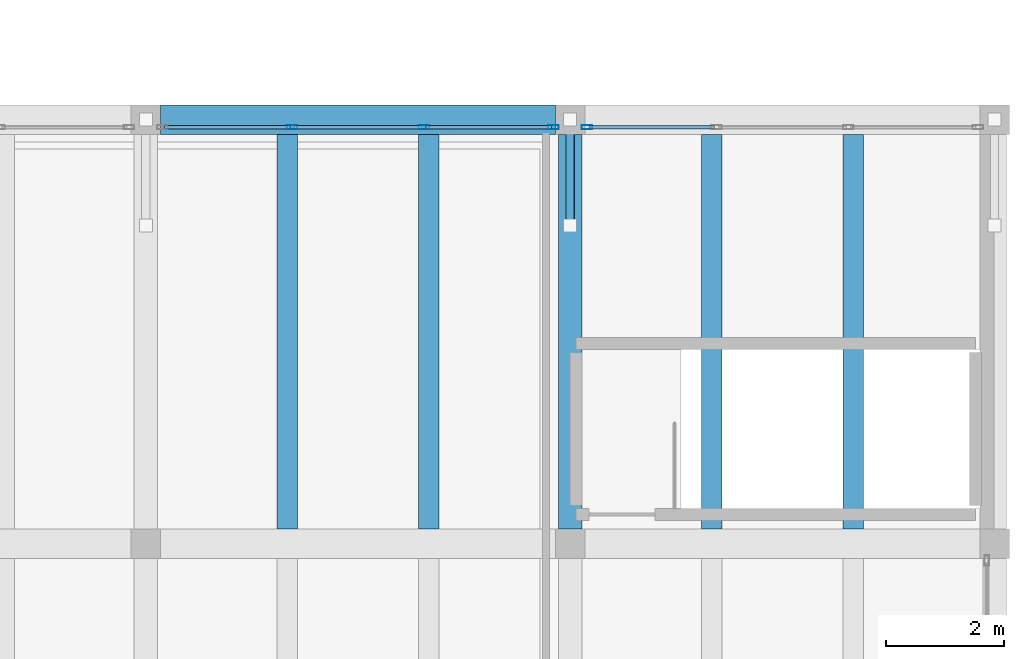
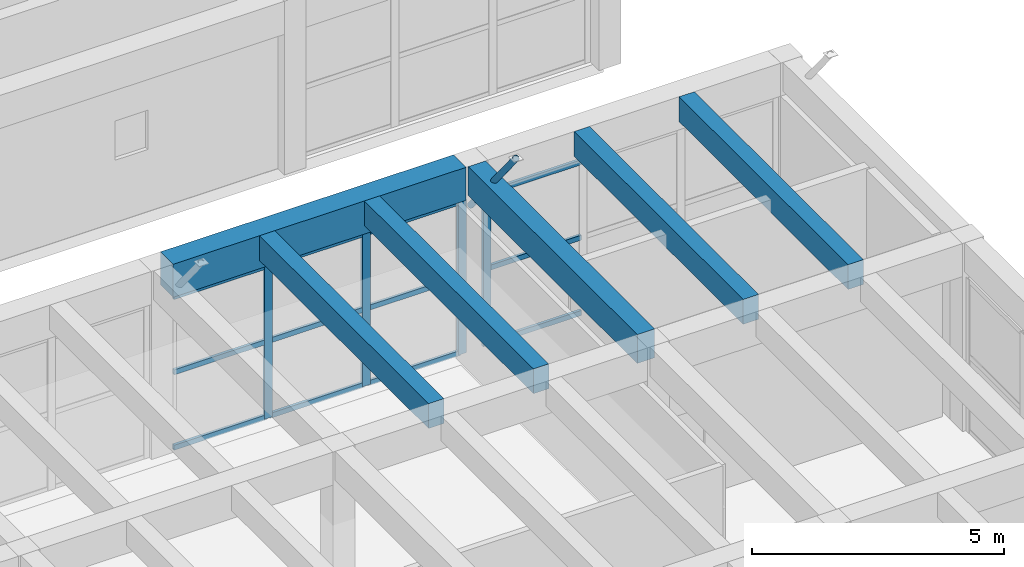
# One storey, part 98 of 153: 17 members, 6 beams, 2 elements without a shape of their own.
"""IFC4 building model written with IfcOpenShell, lengths in metres."""

import ifcopenshell
import ifcopenshell.guid

model = None  # the IFC model being written
_history = None  # IfcOwnerHistory: only IFC2X3 demands one
_inside = {}  # id of a spatial element -> (the spatial element, [elements in it])
_under = {}  # id of a project, library or spatial element -> (it, [spatial elements below it])
_declared = {}  # id of a project -> (the project, [libraries it declares])
_typed = {}  # id of a type object -> (the type object, [elements of that type])
_made_of = {}  # id of a material, layer set ... -> (it, [elements and type objects made of it])


def new_model(schema):
    """Start an empty IFC model of exactly this schema.

    Asked for "IFC4X3", IfcOpenShell would pick the latest addendum, in which some entities
    have other attributes; the version numbers below select the first issue.
    IFC2X3 requires an IfcOwnerHistory on every rooted entity: one is made here for all.
    """
    global model, _history
    if schema == "IFC4X3":
        model = ifcopenshell.file(schema_version=(4, 3, 0, 0))
    else:
        model = ifcopenshell.file(schema=schema)
    _inside.clear()
    _under.clear()
    _declared.clear()
    _typed.clear()
    _made_of.clear()
    _history = None
    if model.schema == "IFC2X3":
        org = make("IfcOrganization", Name="unknown")
        user = make(
            "IfcPersonAndOrganization",
            ThePerson=make("IfcPerson", FamilyName="unknown"),
            TheOrganization=org,
        )
        app = make(
            "IfcApplication",
            ApplicationDeveloper=org,
            Version="unknown",
            ApplicationFullName="unknown",
            ApplicationIdentifier="unknown",
        )
        _history = make(
            "IfcOwnerHistory",
            OwningUser=user,
            OwningApplication=app,
            ChangeAction="ADDED",
            CreationDate=0,
        )
    return model


def make(cls, **values):
    """One entity of the class cls with the attributes given. An attribute that is None is left unset."""
    return model.create_entity(
        cls, **{name: value for name, value in values.items() if value is not None}
    )


def rooted(cls, **values):
    """An entity with a GlobalId (a new one), such as an element, a storey or a relation."""
    return make(cls, GlobalId=ifcopenshell.guid.new(), OwnerHistory=_history, **values)


def si_unit(unit_type, name, prefix=None):
    """IfcSIUnit, for example si_unit("LENGTHUNIT", "METRE", prefix="MILLI")."""
    return make("IfcSIUnit", UnitType=unit_type, Prefix=prefix, Name=name)


def assignment(units):
    """IfcUnitAssignment: the units of a project."""
    return None if units is None else make("IfcUnitAssignment", Units=units)


def point(xyz):
    """IfcCartesianPoint."""
    return None if xyz is None else make("IfcCartesianPoint", Coordinates=xyz)


def direction(xyz):
    """IfcDirection."""
    return None if xyz is None else make("IfcDirection", DirectionRatios=xyz)


def frame(location, z_axis=None, x_axis=None):
    """IfcAxis2Placement3D, a coordinate frame: its origin and axes. An axis left out is left unset."""
    return make(
        "IfcAxis2Placement3D",
        Location=point(location),
        Axis=direction(z_axis),
        RefDirection=direction(x_axis),
    )


def frame_2d(location, x_axis=None):
    """IfcAxis2Placement2D, a coordinate frame in the plane: its origin and x axis."""
    return make(
        "IfcAxis2Placement2D", Location=point(location), RefDirection=direction(x_axis)
    )


def origin():
    """The frame at (0, 0, 0) with its axes left unset."""
    return frame((0.0, 0.0, 0.0))


def origin_2d():
    """The frame at (0, 0) in the plane with its x axis left unset."""
    return frame_2d((0.0, 0.0))


def place(relative_to, where):
    """IfcLocalPlacement: puts the frame where relative to a parent placement (None: the world)."""
    return make(
        "IfcLocalPlacement", PlacementRelTo=relative_to, RelativePlacement=where
    )


def context(
    kind, dimensions, precision=None, world=None, true_north=None, identifier=None
):
    """IfcGeometricRepresentationContext, for example the 3D "Model" context."""
    return make(
        "IfcGeometricRepresentationContext",
        ContextIdentifier=identifier,
        ContextType=kind,
        CoordinateSpaceDimension=dimensions,
        Precision=precision,
        WorldCoordinateSystem=world,
        TrueNorth=true_north,
    )


def subcontext(parent, identifier, kind, view, scale=None):
    """IfcGeometricRepresentationSubContext, for example "Body" below "Model"."""
    return make(
        "IfcGeometricRepresentationSubContext",
        ContextIdentifier=identifier,
        ContextType=kind,
        ParentContext=parent,
        TargetScale=scale,
        TargetView=view,
    )


def project(units=None, contexts=None):
    """IfcProject with its units and contexts."""
    return rooted(
        "IfcProject",
        Name="project",
        RepresentationContexts=contexts,
        UnitsInContext=assignment(units),
    )


def spatial(cls, under=None, at=None, **own):
    """A site, building, storey or space (cls), placed at a placement, below another one or the project."""
    s = rooted(cls, ObjectPlacement=at, **own)
    if under is not None:
        _under.setdefault(under.id(), (under, []))[1].append(s)
    return s


def profile(cls, at=None, kind="AREA", **sizes):
    """A parametric profile (cls). Its sizes go by their IFC names, for example OverallWidth=200.0."""
    return make(cls, ProfileType=kind, Position=at, **sizes)


def rectangle(**sizes):
    """IfcRectangleProfileDef."""
    return profile("IfcRectangleProfileDef", **sizes)


def hollow_rectangle(**sizes):
    """IfcRectangleHollowProfileDef."""
    return profile("IfcRectangleHollowProfileDef", **sizes)


def hollow_circle(**sizes):
    """IfcCircleHollowProfileDef."""
    return profile("IfcCircleHollowProfileDef", **sizes)


def extrude(swept, where, along, depth):
    """IfcExtrudedAreaSolid: the profile swept, set in the frame where, extruded along a direction by depth."""
    return make(
        "IfcExtrudedAreaSolid",
        SweptArea=swept,
        Position=where,
        ExtrudedDirection=direction(along),
        Depth=depth,
    )


def shape(context_of_items, identifier, shape_type, items):
    """IfcShapeRepresentation: the items that make up one representation, for example the "Body"."""
    return make(
        "IfcShapeRepresentation",
        ContextOfItems=context_of_items,
        RepresentationIdentifier=identifier,
        RepresentationType=shape_type,
        Items=items,
    )


def material(Name=None, Category=None):
    """IfcMaterial."""
    return make("IfcMaterial", Name=Name, Category=Category)


def material_profile(
    of_material, cross_section, Name=None, Category=None, Priority=None
):
    """IfcMaterialProfile: a cross section and its material."""
    return make(
        "IfcMaterialProfile",
        Name=Name,
        Material=of_material,
        Profile=cross_section,
        Priority=Priority,
        Category=Category,
    )


def profile_set(profiles, Name=None, composite=None):
    """IfcMaterialProfileSet."""
    return make(
        "IfcMaterialProfileSet",
        Name=Name,
        MaterialProfiles=profiles,
        CompositeProfile=composite,
    )


def made_of(thing, what):
    """Note that an element or type object is made of a material, layer set ...; save() writes the relation."""
    if what is not None:
        _made_of.setdefault(what.id(), (what, []))[1].append(thing)
    return thing


def type_object(cls, material=None, **own):
    """A type object (cls), such as IfcWallType, which elements share."""
    return made_of(rooted(cls, **own), material)


def element(
    cls,
    number,
    at=None,
    inside=None,
    cuts=None,
    type_object=None,
    material=None,
    context=None,
    identifier="Body",
    shape_type=None,
    held_by="IfcProductDefinitionShape",
    body=None,
    shapes=None,
    **own,
):
    """One element of the class cls, such as IfcWall. Its Tag is "e" and its number.

    at: its placement. inside: the storey or other place that contains it. cuts: it is an
    opening in that element (IfcRelVoidsElement). A single representation is given by context,
    identifier, shape_type and body (its items); several are given by shapes. held_by: the class
    of the entity that holds the representations. save() writes the other relations.
    """
    e = rooted(cls, Tag="e%d" % number, ObjectPlacement=at, **own)
    if body is not None:
        shapes = [shape(context, identifier, shape_type, body)]
    if shapes is not None:
        e.Representation = make(held_by, Representations=shapes)
    if inside is not None:
        _inside.setdefault(inside.id(), (inside, []))[1].append(e)
    if cuts is not None:
        rooted(
            "IfcRelVoidsElement", RelatingBuildingElement=cuts, RelatedOpeningElement=e
        )
    if type_object is not None:
        _typed.setdefault(type_object.id(), (type_object, []))[1].append(e)
    return made_of(e, material)


def aggregate(whole, parts):
    """IfcRelAggregates: a whole, such as a stair, and the parts it consists of."""
    return rooted("IfcRelAggregates", RelatingObject=whole, RelatedObjects=parts)


def save(model, path):
    """Write the relations noted so far, then the file.

    IfcRelAggregates (storeys below a building ...), IfcRelContainedInSpatialStructure (elements
    in a storey), IfcRelDefinesByType, IfcRelAssociatesMaterial and IfcRelDeclares: one each for
    every whole, place, type object, material and project.
    """
    for whole, parts in _under.values():
        aggregate(whole, parts)
    for where, things in _inside.values():
        rooted(
            "IfcRelContainedInSpatialStructure",
            RelatedElements=things,
            RelatingStructure=where,
        )
    for kind, things in _typed.values():
        rooted("IfcRelDefinesByType", RelatedObjects=things, RelatingType=kind)
    for what, things in _made_of.values():
        rooted("IfcRelAssociatesMaterial", RelatedObjects=things, RelatingMaterial=what)
    for by, libraries in _declared.values():
        rooted("IfcRelDeclares", RelatingContext=by, RelatedDefinitions=libraries)
    model.write(path)


model = new_model("IFC4")

# Units and contexts
model_context = context("Model", 3, precision=1e-05, world=origin(), true_north=direction((0.0, 1.0)))
body_context = subcontext(model_context, "Body", "Model", "MODEL_VIEW")
ifc_project = project(units=[si_unit("LENGTHUNIT", "METRE"), si_unit("AREAUNIT", "SQUARE_METRE"), si_unit("VOLUMEUNIT", "CUBIC_METRE"), si_unit("PLANEANGLEUNIT", "RADIAN"), si_unit("MASSUNIT", "GRAM", prefix="KILO")], contexts=[model_context])

# Site, building, storey
site_placement = place(None, origin())
site = spatial("IfcSite", under=ifc_project, at=site_placement, CompositionType="ELEMENT")
building_placement = place(site_placement, origin())
building = spatial("IfcBuilding", under=site, at=building_placement, Name="Bramvelor Terrace Health Centre", CompositionType="ELEMENT")
storey_placement = place(building_placement, frame((0.0, 0.0, 4.800048828125)))
storey = spatial("IfcBuildingStorey", under=building, at=storey_placement, Name="L02", CompositionType="ELEMENT", Elevation=4.800048828125)

# Beams
ifc_material_1 = material(Name="Concrete C40/50", Category="concrete")
ifc_material_profile_1 = material_profile(ifc_material_1, rectangle(XDim=0.39990234375, YDim=0.699951171875, at=origin_2d()), Name="RC 400x700")
ifc_profile_set_1 = profile_set([ifc_material_profile_1], Name="Concrete C40/50")
beam_type_1 = type_object("IfcBeamType", Name="BM-RC-G700", PredefinedType="BEAM", material=ifc_profile_set_1)
beam_1_placement = place(storey_placement, frame((86.39990234375, 72.25, 4.199951171875), z_axis=(0.0, 1.0, 0.0), x_axis=(-1.0, 0.0, 0.0)))
element("IfcBeam", 1, at=beam_1_placement, inside=storey, type_object=beam_type_1, Name="L02 Floor Girder", PredefinedType="BEAM", context=body_context, shape_type="SweptSolid", body=[
    extrude(rectangle(XDim=0.39990234375, YDim=0.699951171875, at=origin_2d()), origin(), (0.0, 0.0, 1.0), 6.699951171875),
])
ifc_material_2 = material(Name="Concrete C40/50", Category="concrete")
ifc_material_profile_2 = material_profile(ifc_material_2, rectangle(XDim=0.5, YDim=0.800048828125, at=origin_2d()), Name="RC 500x800")
ifc_profile_set_2 = profile_set([ifc_material_profile_2], Name="Concrete C40/50")
beam_type_2 = type_object("IfcBeamType", Name="BM-RC-G800", PredefinedType="BEAM", material=ifc_profile_set_2)
beam_2_placement = place(storey_placement, frame((79.449951171875, 79.199951171875, 4.14990234375), z_axis=(1.0, 0.0, 0.0), x_axis=(0.0, 1.0, 0.0)))
element("IfcBeam", 2, at=beam_2_placement, inside=storey, type_object=beam_type_2, Name="L02 Floor Girder", PredefinedType="BEAM", context=body_context, shape_type="SweptSolid", body=[
    extrude(rectangle(XDim=0.5, YDim=0.800048828125, at=origin_2d()), origin(), (0.0, 0.0, 1.0), 6.699951171875),
])
ifc_material_3 = material(Name="Concrete C40/50", Category="concrete")
ifc_material_profile_3 = material_profile(ifc_material_3, rectangle(XDim=0.35009765625, YDim=0.60009765625, at=origin_2d()), Name="RC 350x600")
ifc_profile_set_3 = profile_set([ifc_material_profile_3], Name="Concrete C40/50")
beam_type_3 = type_object("IfcBeamType", Name="BM-RC-J600", PredefinedType="JOIST", material=ifc_profile_set_3)
for number, where, z_axis, x_axis, name in (
    (3, (81.60009765625, 72.25, 4.25), (0.0, 1.0, 0.0), (-1.0, 0.0, 0.0), "L02 Secondary Floor Joist"),
    (4, (84.0, 72.25, 4.25), (0.0, 1.0, 0.0), (-1.0, 0.0, 0.0), "L02 Secondary Floor Joist"),
    (5, (88.800048828125, 72.25, 4.25), (0.0, 1.0, 0.0), (-1.0, 0.0, 0.0), "L02 Secondary Floor Joist"),
    (6, (91.199951171875, 72.25, 4.25), (0.0, 1.0, 0.0), (-1.0, 0.0, 0.0), "L02 Secondary Floor Joist"),
):
    element("IfcBeam", number, at=place(storey_placement, frame(where, z_axis=z_axis, x_axis=x_axis)), inside=storey, type_object=beam_type_3, Name=name, PredefinedType="JOIST", context=body_context, shape_type="SweptSolid", body=[
        extrude(rectangle(XDim=0.35009765625, YDim=0.60009765625, at=origin_2d()), origin(), (0.0, 0.0, 1.0), 6.699951171875),
    ])

# Curtain wall, members
ifc_material_4 = material(Name="Anodized aluminium and double low-E glass", Category="aluminium")
curtain_wall_type = type_object("IfcCurtainWallType", Name="CW-SYS-17", PredefinedType="NOTDEFINED", material=ifc_material_4)
curtain_wall_1_placement = place(storey_placement, origin())
curtain_wall_1 = element("IfcCurtainWall", 7, at=curtain_wall_1_placement, inside=storey, type_object=curtain_wall_type, Name="L02 Unitized Curtain Wall 95", PredefinedType="NOTDEFINED")
ifc_material_5 = material(Name="Anodized aluminium 6063-T6", Category="aluminium")
ifc_material_profile_4 = material_profile(ifc_material_5, hollow_rectangle(XDim=0.074951171875, YDim=0.179931640625, WallThickness=0.00341796875, at=origin_2d()), Name="ALU-MUL 75x180x3.5")
ifc_profile_set_4 = profile_set([ifc_material_profile_4], Name="Anodized aluminium 6063-T6")
member_type_1 = type_object("IfcMemberType", Name="CW-MUL-65x180", PredefinedType="MULLION", material=ifc_profile_set_4)
member_1_placement = place(storey_placement, frame((81.681640625, 79.070068359375, 0.0), z_axis=(0.0, 0.0, 1.0), x_axis=(0.0, 1.0, 0.0)))
member_1 = element("IfcMember", 8, at=member_1_placement, type_object=member_type_1, Name="CW-17 mullion 2", PredefinedType="MULLION", context=body_context, shape_type="SweptSolid", body=[
    extrude(hollow_rectangle(XDim=0.074951171875, YDim=0.179931640625, WallThickness=0.00341796875, at=origin_2d()), origin(), (0.0, 0.0, 1.0), 3.7099609375),
])
member_2_placement = place(storey_placement, frame((83.918212890625, 79.070068359375, 0.0), z_axis=(0.0, 0.0, 1.0), x_axis=(0.0, 1.0, 0.0)))
member_2 = element("IfcMember", 9, at=member_2_placement, type_object=member_type_1, Name="CW-17 mullion 3", PredefinedType="MULLION", context=body_context, shape_type="SweptSolid", body=[
    extrude(hollow_rectangle(XDim=0.074951171875, YDim=0.179931640625, WallThickness=0.00341796875, at=origin_2d()), origin(), (0.0, 0.0, 1.0), 3.7099609375),
])
member_3_placement = place(storey_placement, frame((86.117431640625, 79.070068359375, 0.0), z_axis=(0.0, 0.0, 1.0), x_axis=(0.0, 1.0, 0.0)))
member_3 = element("IfcMember", 10, at=member_3_placement, type_object=member_type_1, Name="CW-17 mullion 4", PredefinedType="MULLION", context=body_context, shape_type="SweptSolid", body=[
    extrude(hollow_rectangle(XDim=0.074951171875, YDim=0.179931640625, WallThickness=0.00341796875, at=origin_2d()), origin(), (0.0, 0.0, 1.0), 3.7099609375),
])

# Curtain wall, member
curtain_wall_2_placement = place(storey_placement, origin())
curtain_wall_2 = element("IfcCurtainWall", 11, at=curtain_wall_2_placement, inside=storey, type_object=curtain_wall_type, Name="L02 Unitized Curtain Wall 96", PredefinedType="NOTDEFINED")
member_4_placement = place(storey_placement, frame((86.6826171875, 79.070068359375, 0.0), z_axis=(0.0, 0.0, 1.0), x_axis=(0.0, 1.0, 0.0)))
member_4 = element("IfcMember", 12, at=member_4_placement, type_object=member_type_1, Name="CW-17 mullion 1", PredefinedType="MULLION", context=body_context, shape_type="SweptSolid", body=[
    extrude(hollow_rectangle(XDim=0.074951171875, YDim=0.179931640625, WallThickness=0.00341796875, at=origin_2d()), origin(), (0.0, 0.0, 1.0), 3.7099609375),
])

# Member
ifc_material_6 = material(Name="Anodized aluminium 6063-T6", Category="aluminium")
ifc_material_profile_5 = material_profile(ifc_material_6, hollow_rectangle(XDim=0.06494140625, YDim=0.1201171875, WallThickness=0.0029296875, at=origin_2d()), Name="ALU-TRN 65x120x3.0")
ifc_profile_set_5 = profile_set([ifc_material_profile_5], Name="Anodized aluminium 6063-T6")
member_type_2 = type_object("IfcMemberType", Name="CW-TRN-65x150", PredefinedType="USERDEFINED", material=ifc_profile_set_5)
member_5_placement = place(storey_placement, frame((79.52001953125, 79.070068359375, 0.032470703125), z_axis=(1.0, 0.0, 0.0), x_axis=(0.0, 1.0, 0.0)))
member_5 = element("IfcMember", 13, at=member_5_placement, type_object=member_type_2, Name="CW-17 transom 1.1", ObjectType="TRANSOM", PredefinedType="USERDEFINED", context=body_context, shape_type="SweptSolid", body=[
    extrude(hollow_rectangle(XDim=0.06494140625, YDim=0.1201171875, WallThickness=0.0029296875, at=origin_2d()), origin(), (0.0, 0.0, 1.0), 2.124267578125),
])

member_6_placement = place(storey_placement, frame((79.52001953125, 79.070068359375, 1.85498046875), z_axis=(1.0, 0.0, 0.0), x_axis=(0.0, 1.0, 0.0)))
member_6 = element("IfcMember", 14, at=member_6_placement, type_object=member_type_2, Name="CW-17 transom 1.2", ObjectType="TRANSOM", PredefinedType="USERDEFINED", context=body_context, shape_type="SweptSolid", body=[
    extrude(hollow_rectangle(XDim=0.06494140625, YDim=0.1201171875, WallThickness=0.0029296875, at=origin_2d()), origin(), (0.0, 0.0, 1.0), 2.124267578125),
])

member_7_placement = place(storey_placement, frame((79.52001953125, 79.070068359375, 3.677490234375), z_axis=(1.0, 0.0, 0.0), x_axis=(0.0, 1.0, 0.0)))
member_7 = element("IfcMember", 15, at=member_7_placement, type_object=member_type_2, Name="CW-17 transom 1.3", ObjectType="TRANSOM", PredefinedType="USERDEFINED", context=body_context, shape_type="SweptSolid", body=[
    extrude(hollow_rectangle(XDim=0.06494140625, YDim=0.1201171875, WallThickness=0.0029296875, at=origin_2d()), origin(), (0.0, 0.0, 1.0), 2.124267578125),
])

member_8_placement = place(storey_placement, frame((81.71923828125, 79.070068359375, 0.032470703125), z_axis=(1.0, 0.0, 0.0), x_axis=(0.0, 1.0, 0.0)))
member_8 = element("IfcMember", 16, at=member_8_placement, type_object=member_type_2, Name="CW-17 transom 2.1", ObjectType="TRANSOM", PredefinedType="USERDEFINED", context=body_context, shape_type="SweptSolid", body=[
    extrude(hollow_rectangle(XDim=0.06494140625, YDim=0.1201171875, WallThickness=0.0029296875, at=origin_2d()), origin(), (0.0, 0.0, 1.0), 2.16162109375),
])

member_9_placement = place(storey_placement, frame((81.71923828125, 79.070068359375, 1.85498046875), z_axis=(1.0, 0.0, 0.0), x_axis=(0.0, 1.0, 0.0)))
member_9 = element("IfcMember", 17, at=member_9_placement, type_object=member_type_2, Name="CW-17 transom 2.2", ObjectType="TRANSOM", PredefinedType="USERDEFINED", context=body_context, shape_type="SweptSolid", body=[
    extrude(hollow_rectangle(XDim=0.06494140625, YDim=0.1201171875, WallThickness=0.0029296875, at=origin_2d()), origin(), (0.0, 0.0, 1.0), 2.16162109375),
])

member_10_placement = place(storey_placement, frame((81.71923828125, 79.070068359375, 3.677490234375), z_axis=(1.0, 0.0, 0.0), x_axis=(0.0, 1.0, 0.0)))
member_10 = element("IfcMember", 18, at=member_10_placement, type_object=member_type_2, Name="CW-17 transom 2.3", ObjectType="TRANSOM", PredefinedType="USERDEFINED", context=body_context, shape_type="SweptSolid", body=[
    extrude(hollow_rectangle(XDim=0.06494140625, YDim=0.1201171875, WallThickness=0.0029296875, at=origin_2d()), origin(), (0.0, 0.0, 1.0), 2.16162109375),
])

member_11_placement = place(storey_placement, frame((83.955810546875, 79.070068359375, 0.032470703125), z_axis=(1.0, 0.0, 0.0), x_axis=(0.0, 1.0, 0.0)))
member_11 = element("IfcMember", 19, at=member_11_placement, type_object=member_type_2, Name="CW-17 transom 3.1", ObjectType="TRANSOM", PredefinedType="USERDEFINED", context=body_context, shape_type="SweptSolid", body=[
    extrude(hollow_rectangle(XDim=0.06494140625, YDim=0.1201171875, WallThickness=0.0029296875, at=origin_2d()), origin(), (0.0, 0.0, 1.0), 2.124267578125),
])

member_12_placement = place(storey_placement, frame((83.955810546875, 79.070068359375, 1.85498046875), z_axis=(1.0, 0.0, 0.0), x_axis=(0.0, 1.0, 0.0)))
member_12 = element("IfcMember", 20, at=member_12_placement, type_object=member_type_2, Name="CW-17 transom 3.2", ObjectType="TRANSOM", PredefinedType="USERDEFINED", context=body_context, shape_type="SweptSolid", body=[
    extrude(hollow_rectangle(XDim=0.06494140625, YDim=0.1201171875, WallThickness=0.0029296875, at=origin_2d()), origin(), (0.0, 0.0, 1.0), 2.124267578125),
])

member_13_placement = place(storey_placement, frame((83.955810546875, 79.070068359375, 3.677490234375), z_axis=(1.0, 0.0, 0.0), x_axis=(0.0, 1.0, 0.0)))
member_13 = element("IfcMember", 21, at=member_13_placement, type_object=member_type_2, Name="CW-17 transom 3.3", ObjectType="TRANSOM", PredefinedType="USERDEFINED", context=body_context, shape_type="SweptSolid", body=[
    extrude(hollow_rectangle(XDim=0.06494140625, YDim=0.1201171875, WallThickness=0.0029296875, at=origin_2d()), origin(), (0.0, 0.0, 1.0), 2.124267578125),
])

aggregate(curtain_wall_1, [member_1, member_2, member_3, member_5, member_6, member_7, member_8, member_9, member_10, member_11, member_12, member_13])

member_14_placement = place(storey_placement, frame((86.719970703125, 79.070068359375, 0.032470703125), z_axis=(1.0, 0.0, 0.0), x_axis=(0.0, 1.0, 0.0)))
member_14 = element("IfcMember", 22, at=member_14_placement, type_object=member_type_2, Name="CW-17 transom 1.1", ObjectType="TRANSOM", PredefinedType="USERDEFINED", context=body_context, shape_type="SweptSolid", body=[
    extrude(hollow_rectangle(XDim=0.06494140625, YDim=0.1201171875, WallThickness=0.0029296875, at=origin_2d()), origin(), (0.0, 0.0, 1.0), 2.124267578125),
])

member_15_placement = place(storey_placement, frame((86.719970703125, 79.070068359375, 1.85498046875), z_axis=(1.0, 0.0, 0.0), x_axis=(0.0, 1.0, 0.0)))
member_15 = element("IfcMember", 23, at=member_15_placement, type_object=member_type_2, Name="CW-17 transom 1.2", ObjectType="TRANSOM", PredefinedType="USERDEFINED", context=body_context, shape_type="SweptSolid", body=[
    extrude(hollow_rectangle(XDim=0.06494140625, YDim=0.1201171875, WallThickness=0.0029296875, at=origin_2d()), origin(), (0.0, 0.0, 1.0), 2.124267578125),
])

member_16_placement = place(storey_placement, frame((86.719970703125, 79.070068359375, 3.677490234375), z_axis=(1.0, 0.0, 0.0), x_axis=(0.0, 1.0, 0.0)))
member_16 = element("IfcMember", 24, at=member_16_placement, type_object=member_type_2, Name="CW-17 transom 1.3", ObjectType="TRANSOM", PredefinedType="USERDEFINED", context=body_context, shape_type="SweptSolid", body=[
    extrude(hollow_rectangle(XDim=0.06494140625, YDim=0.1201171875, WallThickness=0.0029296875, at=origin_2d()), origin(), (0.0, 0.0, 1.0), 2.124267578125),
])

aggregate(curtain_wall_2, [member_4, member_14, member_15, member_16])

ifc_material_7 = material(Name="Steel S355J2", Category="steel")
ifc_material_profile_6 = material_profile(ifc_material_7, hollow_circle(Radius=0.06982421875, WallThickness=0.0048828125, at=origin_2d()), Name="CHS 139.7x5.0")
ifc_profile_set_6 = profile_set([ifc_material_profile_6], Name="Steel S355J2")
member_type_3 = type_object("IfcMemberType", Name="MEM-STL-CHS139", PredefinedType="STRUT", material=ifc_profile_set_6)
member_17_placement = place(storey_placement, frame((86.39990234375, 79.199951171875, 3.39990234375), z_axis=(0.0, -0.62952484871, 0.776980350367), x_axis=(1.0, 0.0, 0.0)))
element("IfcMember", 25, at=member_17_placement, inside=storey, type_object=member_type_3, Name="Waiting Hall Storm-Eave Knee Strut N7", PredefinedType="STRUT", context=body_context, shape_type="SweptSolid", body=[
    extrude(hollow_circle(Radius=0.06982421875, WallThickness=0.0048828125, at=origin_2d()), origin(), (0.0, 0.0, 1.0), 2.859375),
])

save(model, "model.ifc")
